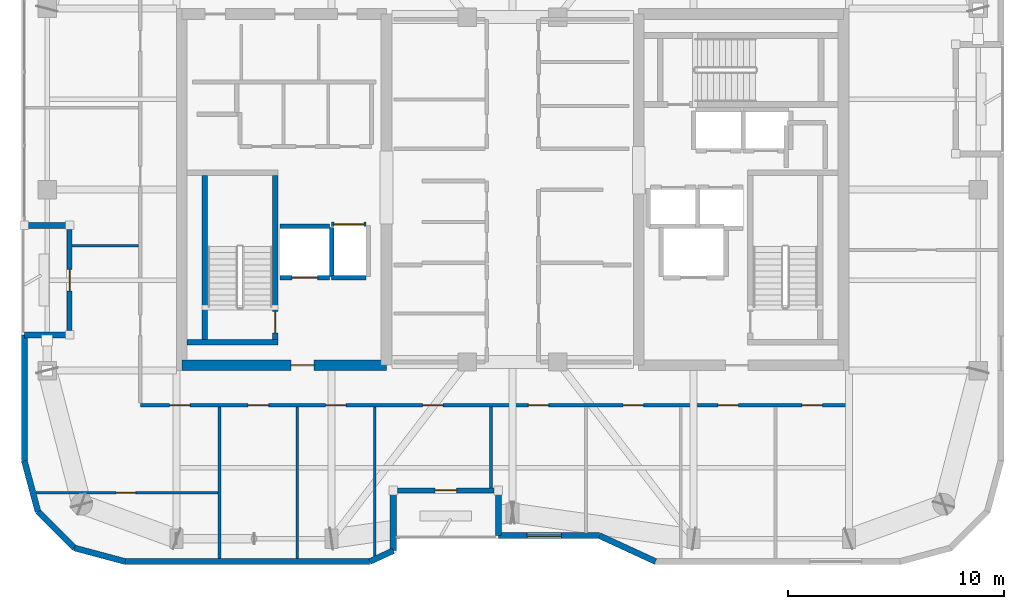
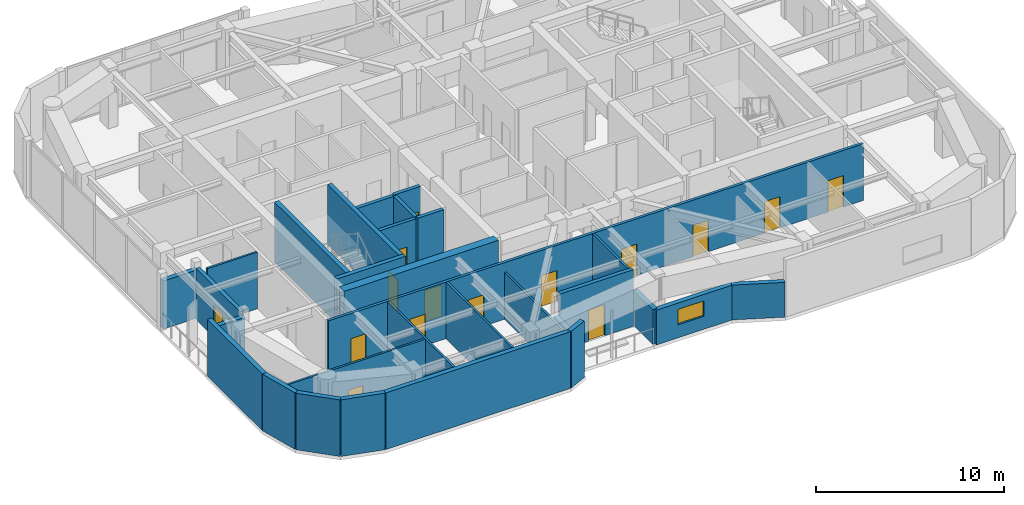
# One storey, part 10 of 16: 30 walls, 15 doors, 1 window, 16 openings.
"""IFC4 building model written with IfcOpenShell, lengths in metres."""

from ifc_helpers import new_model, si_unit, direction, frame, frame_2d, origin, place, context, subcontext, project, spatial, rectangle, extrude, material, layer, layer_set, type_object, element, fill, save


model = new_model("IFC4")

# Units and contexts
model_context = context("Model", 3, precision=1e-05, world=origin(), true_north=direction((0.0, 1.0)))
body_context = subcontext(model_context, "Body", "Model", "MODEL_VIEW")
ifc_project = project(units=[si_unit("LENGTHUNIT", "METRE"), si_unit("AREAUNIT", "SQUARE_METRE"), si_unit("VOLUMEUNIT", "CUBIC_METRE"), si_unit("PLANEANGLEUNIT", "RADIAN"), si_unit("MASSUNIT", "GRAM", prefix="KILO")], contexts=[model_context])

# Site, building, storey
site_placement = place(None, origin())
site = spatial("IfcSite", under=ifc_project, at=site_placement, CompositionType="ELEMENT")
building_placement = place(site_placement, origin())
building = spatial("IfcBuilding", under=site, at=building_placement, Name="Kiyonajd Concourse Tower", CompositionType="ELEMENT")
storey_placement = place(building_placement, frame((0.0, 0.0, 306.300048828125)))
storey = spatial("IfcBuildingStorey", under=building, at=storey_placement, Name="L77", CompositionType="ELEMENT", Elevation=306.300048828125)

# Wall, opening, door
ifc_material_1 = material(Name="Concrete C60/75", Category="concrete")
ifc_layer_1 = layer(ifc_material_1, 0.5)
ifc_layer_set_1 = layer_set([ifc_layer_1], Name="Concrete C60/75")
wall_type_1 = type_object("IfcWallType", Name="WL-CORE-500", PredefinedType="SHEAR", material=ifc_layer_set_1)
wall_1_placement = place(storey_placement, frame((32.64990234375, 27.85009765625, 0.0), z_axis=(0.0, 0.0, 1.0), x_axis=(1.0, 0.0, 0.0)))
wall_1 = element("IfcWall", 1, at=wall_1_placement, inside=storey, type_object=wall_type_1, Name="L77 West Core South Shear Wall", PredefinedType="SHEAR", context=body_context, shape_type="SweptSolid", body=[
    extrude(rectangle(XDim=9.5, YDim=0.5, at=frame_2d((4.75, 0.0))), origin(), (0.0, 0.0, 1.0), 3.89990234375),
])
opening_1_placement = place(wall_1_placement, frame((5.074951171875, 0.0, 0.0)))
opening_1 = element("IfcOpeningElement", 2, at=opening_1_placement, cuts=wall_1, Name="Opening DF5", PredefinedType="OPENING", context=body_context, shape_type="SweptSolid", body=[
    extrude(rectangle(XDim=1.050048828125, YDim=2.0400390625, at=frame_2d((0.52490234375, 1.02001953125))), frame((0.0, 0.260009765625, 0.0), z_axis=(0.0, -1.0, 0.0), x_axis=(1.0, 0.0, 0.0)), (0.0, 0.0, 1.0), 0.52001953125),
])
ifc_material_2 = material(Name="Brushed Stainless Steel Cab Assembly", Category="steel")
door_type_1 = type_object("IfcDoorType", Name="DR-FD45-1050", OperationType="NOTDEFINED", PredefinedType="DOOR", material=ifc_material_2)
door_1_placement = place(opening_1_placement, origin())
door_1 = element("IfcDoor", 3, at=door_1_placement, inside=storey, type_object=door_type_1, Name="L77 Firefighting Lift Lobby W Smoke Door", OperationType="SINGLE_SWING_LEFT", OverallHeight=2.0400390625, OverallWidth=1.050048828125, PredefinedType="DOOR", context=body_context, shape_type="SweptSolid", body=[
    extrude(rectangle(XDim=1.050048828125, YDim=2.0400390625, at=frame_2d((0.52490234375, 1.02001953125))), frame((0.0, 0.02490234375, 0.0), z_axis=(0.0, -1.0, 0.0), x_axis=(1.0, 0.0, 0.0)), (0.0, 0.0, 1.0), 0.050048828125),
])
fill(opening_1, door_1)

# Walls
ifc_material_3 = material(Name="Precast concrete C50/60", Category="concrete")
ifc_layer_2 = layer(ifc_material_3, 0.280029296875)
ifc_layer_set_2 = layer_set([ifc_layer_2], Name="Precast concrete C50/60")
wall_type_2 = type_object("IfcWallType", Name="WL-EXT-280", PredefinedType="SOLIDWALL", material=ifc_layer_set_2)
wall_2_placement = place(storey_placement, frame((25.968505859375, 21.072509765625, 0.0), z_axis=(0.0, 0.0, 1.0), x_axis=(-0.258751159445, 0.965944013639, 0.0)))
element("IfcWall", 4, at=wall_2_placement, inside=storey, type_object=wall_type_2, Name="L77 Exterior Concrete Frame Wall 00", PredefinedType="SOLIDWALL", context=body_context, shape_type="SweptSolid", body=[
    extrude(rectangle(XDim=2.4287109375, YDim=0.280029296875, at=frame_2d((1.21435546875, 0.0))), origin(), (0.0, 0.0, 1.0), 3.679931640625),
])
wall_3_placement = place(storey_placement, frame((25.340087890625, 23.41845703125, 0.0), z_axis=(0.0, 0.0, 1.0), x_axis=(0.0, 1.0, 0.0)))
element("IfcWall", 5, at=wall_3_placement, inside=storey, type_object=wall_type_2, Name="L77 Exterior Concrete Frame Wall 01", PredefinedType="SOLIDWALL", context=body_context, shape_type="SweptSolid", body=[
    extrude(rectangle(XDim=5.841552734375, YDim=0.280029296875, at=frame_2d((2.9208984375, 0.0))), origin(), (0.0, 0.0, 1.0), 3.679931640625),
])
for number, where, z_axis, x_axis, name in (
    (6, (25.340087890625, 29.260009765625, 0.0), (0.0, 0.0, 1.0), (1.0, 0.0, 0.0), "L77 Exterior Concrete Frame Wall 02"),
    (7, (27.43994140625, 34.340087890625, 0.0), (0.0, 0.0, 1.0), (-1.0, 0.0, 0.0), "L77 Exterior Concrete Frame Wall 04"),
):
    element("IfcWall", number, at=place(storey_placement, frame(where, z_axis=z_axis, x_axis=x_axis)), inside=storey, type_object=wall_type_2, Name=name, PredefinedType="SOLIDWALL", context=body_context, shape_type="SweptSolid", body=[
        extrude(rectangle(XDim=2.099853515625, YDim=0.280029296875, at=frame_2d((1.0498046875, 0.0))), origin(), (0.0, 0.0, 1.0), 3.1259765625),
    ])
wall_4_placement = place(storey_placement, frame((54.630615234375, 18.739990234375, 0.0), z_axis=(0.0, 0.0, 1.0), x_axis=(-0.907956889006, 0.419063584324, 0.0)))
element("IfcWall", 8, at=wall_4_placement, inside=storey, type_object=wall_type_2, Name="L77 Exterior Concrete Frame Wall 29", PredefinedType="SOLIDWALL", context=body_context, shape_type="SweptSolid", body=[
    extrude(rectangle(XDim=2.863525390625, YDim=0.280029296875, at=frame_2d((1.431640625, 0.0))), origin(), (0.0, 0.0, 1.0), 2.264892578125),
])

# Wall, opening, window
wall_5_placement = place(storey_placement, frame((52.03076171875, 19.93994140625, 0.0), z_axis=(0.0, 0.0, 1.0), x_axis=(-1.0, 0.0, 0.0)))
wall_5 = element("IfcWall", 9, at=wall_5_placement, inside=storey, type_object=wall_type_2, Name="L77 Exterior Concrete Frame Wall 30", PredefinedType="SOLIDWALL", context=body_context, shape_type="SweptSolid", body=[
    extrude(rectangle(XDim=4.690673828125, YDim=0.280029296875, at=frame_2d((2.34521484375, 0.0))), origin(), (0.0, 0.0, 1.0), 2.264892578125),
])
opening_2_placement = place(wall_5_placement, frame((1.76611328125, 0.0, 0.85009765625)))
opening_2 = element("IfcOpeningElement", 10, at=opening_2_placement, cuts=wall_5, Name="Opening WN6", PredefinedType="OPENING", context=body_context, shape_type="SweptSolid", body=[
    extrude(rectangle(XDim=1.60009765625, YDim=1.0, at=frame_2d((0.800048828125, 0.5))), frame((0.0, 0.14990234375, 0.0), z_axis=(0.0, -1.0, 0.0), x_axis=(1.0, 0.0, 0.0)), (0.0, 0.0, 1.0), 0.300048828125),
])
ifc_material_4 = material(Name="Double Low-E Insulated Glass", Category="glass")
window_type = type_object("IfcWindowType", Name="WN-VIS-1600x1000", PartitioningType="SINGLE_PANEL", PredefinedType="WINDOW", material=ifc_material_4)
window_placement = place(opening_2_placement, origin())
window = element("IfcWindow", 11, at=window_placement, inside=storey, type_object=window_type, Name="L77 Modular Facade Vision Window 30", OverallHeight=1.0, OverallWidth=1.60009765625, PartitioningType="SINGLE_PANEL", PredefinedType="WINDOW", context=body_context, shape_type="SweptSolid", body=[
    extrude(rectangle(XDim=1.60009765625, YDim=1.0, at=frame_2d((0.800048828125, 0.5))), frame((0.0, 0.030029296875, 0.0), z_axis=(0.0, -1.0, 0.0), x_axis=(1.0, 0.0, 0.0)), (0.0, 0.0, 1.0), 0.06005859375),
])
fill(opening_2, window)

# Walls
wall_6_placement = place(storey_placement, frame((47.340087890625, 19.93994140625, 0.0), z_axis=(0.0, 0.0, 1.0), x_axis=(0.0, 1.0, 0.0)))
element("IfcWall", 12, at=wall_6_placement, inside=storey, type_object=wall_type_2, Name="L77 Exterior Concrete Frame Wall 31", PredefinedType="SOLIDWALL", context=body_context, shape_type="SweptSolid", body=[
    extrude(rectangle(XDim=2.10009765625, YDim=0.280029296875, at=frame_2d((1.050048828125, 0.0))), origin(), (0.0, 0.0, 1.0), 2.264892578125),
])
wall_7_placement = place(storey_placement, frame((42.4599609375, 22.0400390625, 0.0), z_axis=(0.0, 0.0, 1.0), x_axis=(0.0, -1.0, 0.0)))
element("IfcWall", 13, at=wall_7_placement, inside=storey, type_object=wall_type_2, Name="L77 Exterior Concrete Frame Wall 33", PredefinedType="SOLIDWALL", context=body_context, shape_type="SweptSolid", body=[
    extrude(rectangle(XDim=2.79638671875, YDim=0.280029296875, at=frame_2d((1.398193359375, 0.0))), origin(), (0.0, 0.0, 1.0), 2.264892578125),
])
wall_8_placement = place(storey_placement, frame((42.4599609375, 19.24365234375, 0.0), z_axis=(0.0, 0.0, 1.0), x_axis=(-0.907893953211, -0.419199916176, 0.0)))
element("IfcWall", 14, at=wall_8_placement, inside=storey, type_object=wall_type_2, Name="L77 Exterior Concrete Frame Wall 34", PredefinedType="SOLIDWALL", context=body_context, shape_type="SweptSolid", body=[
    extrude(rectangle(XDim=1.201416015625, YDim=0.280029296875, at=frame_2d((0.6005859375, 0.0))), origin(), (0.0, 0.0, 1.0), 3.679931640625),
])
wall_9_placement = place(storey_placement, frame((41.369140625, 18.739990234375, 0.0), z_axis=(0.0, 0.0, 1.0), x_axis=(-1.0, 0.0, 0.0)))
element("IfcWall", 15, at=wall_9_placement, inside=storey, type_object=wall_type_2, Name="L77 Exterior Concrete Frame Wall 35", PredefinedType="SOLIDWALL", context=body_context, shape_type="SweptSolid", body=[
    extrude(rectangle(XDim=11.350830078125, YDim=0.280029296875, at=frame_2d((5.67529296875, 0.0))), origin(), (0.0, 0.0, 1.0), 3.679931640625),
])
wall_10_placement = place(storey_placement, frame((30.018310546875, 18.739990234375, 0.0), z_axis=(0.0, 0.0, 1.0), x_axis=(-0.965937282298, 0.25877628691, 0.0)))
element("IfcWall", 16, at=wall_10_placement, inside=storey, type_object=wall_type_2, Name="L77 Exterior Concrete Frame Wall 36", PredefinedType="SOLIDWALL", context=body_context, shape_type="SweptSolid", body=[
    extrude(rectangle(XDim=2.428466796875, YDim=0.280029296875, at=frame_2d((1.21435546875, 0.0))), origin(), (0.0, 0.0, 1.0), 3.679931640625),
])
wall_11_placement = place(storey_placement, frame((27.672607421875, 19.368408203125, 0.0), z_axis=(0.0, 0.0, 1.0), x_axis=(-0.707106781187, 0.707106781187, 0.0)))
element("IfcWall", 17, at=wall_11_placement, inside=storey, type_object=wall_type_2, Name="L77 Exterior Concrete Frame Wall 37", PredefinedType="SOLIDWALL", context=body_context, shape_type="SweptSolid", body=[
    extrude(rectangle(XDim=2.409912109375, YDim=0.280029296875, at=frame_2d((1.205078125, 0.0))), origin(), (0.0, 0.0, 1.0), 3.679931640625),
])

# Wall, opening, door
ifc_layer_3 = layer(ifc_material_3, 0.239990234375)
ifc_layer_set_3 = layer_set([ifc_layer_3], Name="Precast concrete C50/60")
wall_type_3 = type_object("IfcWallType", Name="WL-LOG-240", PredefinedType="SOLIDWALL", material=ifc_layer_set_3)
wall_12_placement = place(storey_placement, frame((27.43994140625, 29.455078125, 0.0), z_axis=(0.0, 0.0, 1.0), x_axis=(0.0, 1.0, 0.0)))
wall_12 = element("IfcWall", 18, at=wall_12_placement, inside=storey, type_object=wall_type_3, Name="L77 Recessed Loggia Thermal Wall LOG-W", PredefinedType="SOLIDWALL", context=body_context, shape_type="SweptSolid", body=[
    extrude(rectangle(XDim=4.68994140625, YDim=0.239990234375, at=frame_2d((2.344970703125, 0.0))), origin(), (0.0, 0.0, 1.0), 3.31103515625),
])
opening_3_placement = place(wall_12_placement, frame((1.844970703125, 0.0, 0.0)))
opening_3 = element("IfcOpeningElement", 19, at=opening_3_placement, cuts=wall_12, Name="Opening DL1", PredefinedType="OPENING", context=body_context, shape_type="SweptSolid", body=[
    extrude(rectangle(XDim=1.0, YDim=2.02001953125, at=frame_2d((0.5, 1.010009765625))), frame((0.0, 0.1298828125, 0.0), z_axis=(0.0, -1.0, 0.0), x_axis=(1.0, 0.0, 0.0)), (0.0, 0.0, 1.0), 0.260009765625),
])
ifc_material_5 = material(Name="Thermally Broken Anodised Aluminium", Category="aluminium")
door_type_2 = type_object("IfcDoorType", Name="DR-LOG-1000", OperationType="NOTDEFINED", PredefinedType="DOOR", material=ifc_material_5)
door_2_placement = place(opening_3_placement, origin())
door_2 = element("IfcDoor", 20, at=door_2_placement, inside=storey, type_object=door_type_2, Name="L77 Engawa Loggia Access Door LOG-W", OperationType="SINGLE_SWING_LEFT", OverallHeight=2.02001953125, OverallWidth=1.0, PredefinedType="DOOR", context=body_context, shape_type="SweptSolid", body=[
    extrude(rectangle(XDim=1.0, YDim=2.02001953125, at=frame_2d((0.5, 1.010009765625))), frame((0.0, 0.02490234375, 0.0), z_axis=(0.0, -1.0, 0.0), x_axis=(1.0, 0.0, 0.0)), (0.0, 0.0, 1.0), 0.050048828125),
])
fill(opening_3, door_2)

wall_13_placement = place(storey_placement, frame((47.14501953125, 22.0400390625, 0.0), z_axis=(0.0, 0.0, 1.0), x_axis=(-1.0, 0.0, 0.0)))
wall_13 = element("IfcWall", 21, at=wall_13_placement, inside=storey, type_object=wall_type_3, Name="L77 Recessed Loggia Thermal Wall LOG-S", PredefinedType="SOLIDWALL", context=body_context, shape_type="SweptSolid", body=[
    extrude(rectangle(XDim=4.489990234375, YDim=0.239990234375, at=frame_2d((2.2451171875, 0.0))), origin(), (0.0, 0.0, 1.0), 3.679931640625),
])
opening_4_placement = place(wall_13_placement, frame((1.7451171875, 0.0, 0.0)))
opening_4 = element("IfcOpeningElement", 22, at=opening_4_placement, cuts=wall_13, Name="Opening DL1", PredefinedType="OPENING", context=body_context, shape_type="SweptSolid", body=[
    extrude(rectangle(XDim=1.0, YDim=2.02001953125, at=frame_2d((0.5, 1.010009765625))), frame((0.0, 0.1298828125, 0.0), z_axis=(0.0, -1.0, 0.0), x_axis=(1.0, 0.0, 0.0)), (0.0, 0.0, 1.0), 0.260009765625),
])
door_3_placement = place(opening_4_placement, origin())
door_3 = element("IfcDoor", 23, at=door_3_placement, inside=storey, type_object=door_type_2, Name="L77 Engawa Loggia Access Door LOG-S", OperationType="SINGLE_SWING_RIGHT", OverallHeight=2.02001953125, OverallWidth=1.0, PredefinedType="DOOR", context=body_context, shape_type="SweptSolid", body=[
    extrude(rectangle(XDim=1.0, YDim=2.02001953125, at=frame_2d((0.5, 1.010009765625))), frame((0.0, 0.02490234375, 0.0), z_axis=(0.0, -1.0, 0.0), x_axis=(1.0, 0.0, 0.0)), (0.0, 0.0, 1.0), 0.050048828125),
])
fill(opening_4, door_3)

ifc_material_6 = material(Name="Gypsum Board on Cold-Formed Steel Stud", Category="steel")
ifc_layer_4 = layer(ifc_material_6, 0.125)
ifc_layer_set_4 = layer_set([ifc_layer_4], Name="Gypsum Board on Cold-Formed Steel Stud")
wall_type_4 = type_object("IfcWallType", Name="WL-PART-125", PredefinedType="PARTITIONING", material=ifc_layer_set_4)
wall_14_placement = place(storey_placement, frame((25.885009765625, 21.929931640625, 0.0), z_axis=(0.0, 0.0, 1.0), x_axis=(1.0, 0.0, 0.0)))
wall_14 = element("IfcWall", 24, at=wall_14_placement, inside=storey, type_object=wall_type_4, Name="L77 Interior Partition Wall", PredefinedType="PARTITIONING", context=body_context, shape_type="SweptSolid", body=[
    extrude(rectangle(XDim=8.514892578125, YDim=0.125, at=frame_2d((4.25732421875, 0.0))), origin(), (0.0, 0.0, 1.0), 3.679931640625),
])
opening_5_placement = place(wall_14_placement, frame((3.715087890625, 0.0, 0.0)))
opening_5 = element("IfcOpeningElement", 25, at=opening_5_placement, cuts=wall_14, Name="Opening DI2", PredefinedType="OPENING", context=body_context, shape_type="SweptSolid", body=[
    extrude(rectangle(XDim=0.89990234375, YDim=2.02001953125, at=frame_2d((0.449951171875, 1.010009765625))), frame((0.0, 0.072509765625, 0.0), z_axis=(0.0, -1.0, 0.0), x_axis=(1.0, 0.0, 0.0)), (0.0, 0.0, 1.0), 0.14501953125),
])
ifc_material_7 = material(Name="Natural Oak Acoustic Timber Veneer", Category="wood")
door_type_3 = type_object("IfcDoorType", Name="DR-INT-900", OperationType="NOTDEFINED", PredefinedType="DOOR", material=ifc_material_7)
door_4_placement = place(opening_5_placement, origin())
door_4 = element("IfcDoor", 26, at=door_4_placement, inside=storey, type_object=door_type_3, Name="L77 Interior Door", OperationType="SINGLE_SWING_LEFT", OverallHeight=2.02001953125, OverallWidth=0.89990234375, PredefinedType="DOOR", context=body_context, shape_type="SweptSolid", body=[
    extrude(rectangle(XDim=0.89990234375, YDim=2.02001953125, at=frame_2d((0.449951171875, 1.010009765625))), frame((0.0, 0.02490234375, 0.0), z_axis=(0.0, -1.0, 0.0), x_axis=(1.0, 0.0, 0.0)), (0.0, 0.0, 1.0), 0.050048828125),
])
fill(opening_5, door_4)

# Walls
for number, where, z_axis, x_axis, name in (
    (27, (34.39990234375, 18.875, 0.0), (0.0, 0.0, 1.0), (0.0, 1.0, 0.0), "L77 Interior Partition Wall"),
    (28, (38.0, 18.875, 0.0), (0.0, 0.0, 1.0), (0.0, 1.0, 0.0), "L77 Interior Partition Wall"),
):
    element("IfcWall", number, at=place(storey_placement, frame(where, z_axis=z_axis, x_axis=x_axis)), inside=storey, type_object=wall_type_4, Name=name, PredefinedType="PARTITIONING", context=body_context, shape_type="SweptSolid", body=[
        extrude(rectangle(XDim=7.0380859375, YDim=0.125, at=frame_2d((3.51904296875, 0.0))), origin(), (0.0, 0.0, 1.0), 3.679931640625),
    ])
wall_15_placement = place(storey_placement, frame((41.60009765625, 18.998046875, 0.0), z_axis=(0.0, 0.0, 1.0), x_axis=(0.0, 1.0, 0.0)))
element("IfcWall", 29, at=wall_15_placement, inside=storey, type_object=wall_type_4, Name="L77 Interior Partition Wall", PredefinedType="PARTITIONING", context=body_context, shape_type="SweptSolid", body=[
    extrude(rectangle(XDim=6.9150390625, YDim=0.125, at=frame_2d((3.45751953125, 0.0))), origin(), (0.0, 0.0, 1.0), 3.04296875),
])
wall_16_placement = place(storey_placement, frame((47.0, 22.155029296875, 0.0), z_axis=(0.0, 0.0, 1.0), x_axis=(0.0, 1.0, 0.0)))
element("IfcWall", 30, at=wall_16_placement, inside=storey, type_object=wall_type_4, Name="L77 Interior Partition Wall", PredefinedType="PARTITIONING", context=body_context, shape_type="SweptSolid", body=[
    extrude(rectangle(XDim=3.758056640625, YDim=0.125, at=frame_2d((1.87890625, 0.0))), origin(), (0.0, 0.0, 1.0), 3.679931640625),
])
wall_17_placement = place(storey_placement, frame((27.554931640625, 33.39990234375, 0.0), z_axis=(0.0, 0.0, 1.0), x_axis=(1.0, 0.0, 0.0)))
element("IfcWall", 31, at=wall_17_placement, inside=storey, type_object=wall_type_4, Name="L77 Interior Partition Wall", PredefinedType="PARTITIONING", context=body_context, shape_type="SweptSolid", body=[
    extrude(rectangle(XDim=3.0830078125, YDim=0.125, at=frame_2d((1.54150390625, 0.0))), origin(), (0.0, 0.0, 1.0), 3.679931640625),
])

# Wall, opening, door
ifc_layer_5 = layer(ifc_material_6, 0.2099609375)
ifc_layer_set_5 = layer_set([ifc_layer_5], Name="Gypsum Board on Cold-Formed Steel Stud")
wall_type_5 = type_object("IfcWallType", Name="WL-SHAFT-210", PredefinedType="PARTITIONING", material=ifc_layer_set_5)
wall_18_placement = place(storey_placement, frame((37.199951171875, 31.89990234375, 0.0), z_axis=(0.0, 0.0, 1.0), x_axis=(1.0, 0.0, 0.0)))
wall_18 = element("IfcWall", 32, at=wall_18_placement, inside=storey, type_object=wall_type_5, Name="L77 Shaft Enclosure Wall", PredefinedType="PARTITIONING", context=body_context, shape_type="SweptSolid", body=[
    extrude(rectangle(XDim=2.300048828125, YDim=0.2099609375, at=frame_2d((1.14990234375, 0.0))), origin(), (0.0, 0.0, 1.0), 3.679931640625),
])
opening_6_placement = place(wall_18_placement, frame((0.550048828125, 0.0, 0.0)))
opening_6 = element("IfcOpeningElement", 33, at=opening_6_placement, cuts=wall_18, Name="Opening LD2", PredefinedType="OPENING", context=body_context, shape_type="SweptSolid", body=[
    extrude(rectangle(XDim=1.199951171875, YDim=2.0400390625, at=frame_2d((0.60009765625, 1.02001953125))), frame((0.0, 0.114990234375, 0.0), z_axis=(0.0, -1.0, 0.0), x_axis=(1.0, 0.0, 0.0)), (0.0, 0.0, 1.0), 0.22998046875),
])
door_type_4 = type_object("IfcDoorType", Name="DR-LD-1200", OperationType="DOUBLE_DOOR_SLIDING", PredefinedType="DOOR", material=ifc_material_2)
door_5_placement = place(opening_6_placement, origin())
door_5 = element("IfcDoor", 34, at=door_5_placement, inside=storey, type_object=door_type_4, Name="L77 Lift FFL1 Sliding Landing Door", OperationType="DOUBLE_DOOR_SLIDING", OverallHeight=2.0400390625, OverallWidth=1.199951171875, PredefinedType="DOOR", context=body_context, shape_type="SweptSolid", body=[
    extrude(rectangle(XDim=1.199951171875, YDim=2.0400390625, at=frame_2d((0.60009765625, 1.02001953125))), frame((0.0, 0.02490234375, 0.0), z_axis=(0.0, -1.0, 0.0), x_axis=(1.0, 0.0, 0.0)), (0.0, 0.0, 1.0), 0.050048828125),
])
fill(opening_6, door_5)

# Walls
wall_19_placement = place(storey_placement, frame((37.199951171875, 34.300048828125, 0.0), z_axis=(0.0, 0.0, 1.0), x_axis=(1.0, 0.0, 0.0)))
element("IfcWall", 35, at=wall_19_placement, inside=storey, type_object=wall_type_5, Name="L77 Shaft Enclosure Wall", PredefinedType="PARTITIONING", context=body_context, shape_type="SweptSolid", body=[
    extrude(rectangle(XDim=2.300048828125, YDim=0.2099609375, at=frame_2d((1.14990234375, 0.0))), origin(), (0.0, 0.0, 1.0), 3.679931640625),
])
wall_20_placement = place(storey_placement, frame((39.60009765625, 31.9599609375, 0.0), z_axis=(0.0, 0.0, 1.0), x_axis=(0.0, 1.0, 0.0)))
element("IfcWall", 36, at=wall_20_placement, inside=storey, type_object=wall_type_5, Name="L77 Shaft Enclosure Wall", PredefinedType="PARTITIONING", context=body_context, shape_type="SweptSolid", body=[
    extrude(rectangle(XDim=2.280029296875, YDim=0.2099609375, at=frame_2d((1.14013671875, 0.0))), origin(), (0.0, 0.0, 1.0), 3.679931640625),
])

# Wall, opening, door
wall_21_placement = place(storey_placement, frame((39.60009765625, 34.39990234375, 0.0), z_axis=(0.0, 0.0, 1.0), x_axis=(1.0, 0.0, 0.0)))
wall_21 = element("IfcWall", 37, at=wall_21_placement, inside=storey, type_object=wall_type_5, Name="L77 Shaft Enclosure Wall", PredefinedType="PARTITIONING", context=body_context, shape_type="SweptSolid", body=[
    extrude(rectangle(XDim=1.599853515625, YDim=0.2099609375, at=frame_2d((0.7998046875, 0.0))), origin(), (0.0, 0.0, 1.0), 3.679931640625),
])
opening_7_placement = place(wall_21_placement, frame((0.10009765625, 0.0, 0.0)))
opening_7 = element("IfcOpeningElement", 38, at=opening_7_placement, cuts=wall_21, Name="Opening LD3", PredefinedType="OPENING", context=body_context, shape_type="SweptSolid", body=[
    extrude(rectangle(XDim=1.39990234375, YDim=2.06005859375, at=frame_2d((0.699951171875, 1.030029296875))), frame((0.0, 0.114990234375, 0.0), z_axis=(0.0, -1.0, 0.0), x_axis=(1.0, 0.0, 0.0)), (0.0, 0.0, 1.0), 0.22998046875),
])
door_type_5 = type_object("IfcDoorType", Name="DR-LD-1400", OperationType="DOUBLE_DOOR_SLIDING", PredefinedType="DOOR", material=ifc_material_2)
door_6_placement = place(opening_7_placement, origin())
door_6 = element("IfcDoor", 39, at=door_6_placement, inside=storey, type_object=door_type_5, Name="L77 Lift SVL1 Sliding Landing Door", OperationType="DOUBLE_DOOR_SLIDING", OverallHeight=2.06005859375, OverallWidth=1.39990234375, PredefinedType="DOOR", context=body_context, shape_type="SweptSolid", body=[
    extrude(rectangle(XDim=1.39990234375, YDim=2.06005859375, at=frame_2d((0.699951171875, 1.030029296875))), frame((0.0, 0.02490234375, 0.0), z_axis=(0.0, -1.0, 0.0), x_axis=(1.0, 0.0, 0.0)), (0.0, 0.0, 1.0), 0.050048828125),
])
fill(opening_7, door_6)

# Wall
wall_22_placement = place(storey_placement, frame((39.60009765625, 31.89990234375, 0.0), z_axis=(0.0, 0.0, 1.0), x_axis=(1.0, 0.0, 0.0)))
element("IfcWall", 40, at=wall_22_placement, inside=storey, type_object=wall_type_5, Name="L77 Shaft Enclosure Wall", PredefinedType="PARTITIONING", context=body_context, shape_type="SweptSolid", body=[
    extrude(rectangle(XDim=1.599853515625, YDim=0.2099609375, at=frame_2d((0.7998046875, 0.0))), origin(), (0.0, 0.0, 1.0), 3.679931640625),
])

# Wall, openings, doors
ifc_layer_6 = layer(ifc_material_6, 0.169921875)
ifc_layer_set_6 = layer_set([ifc_layer_6], Name="Gypsum Board on Cold-Formed Steel Stud")
wall_type_6 = type_object("IfcWallType", Name="WL-SMK-170", PredefinedType="PARTITIONING", material=ifc_layer_set_6)
wall_23_placement = place(storey_placement, frame((30.72509765625, 26.0, 0.0), z_axis=(0.0, 0.0, 1.0), x_axis=(1.0, 0.0, 0.0)))
wall_23 = element("IfcWall", 41, at=wall_23_placement, inside=storey, type_object=wall_type_6, Name="L77 Interior Partition Wall", PredefinedType="PARTITIONING", context=body_context, shape_type="SweptSolid", body=[
    extrude(rectangle(XDim=32.875, YDim=0.169921875, at=frame_2d((16.4375, 0.0))), origin(), (0.0, 0.0, 1.0), 3.679931640625),
])
opening_8_placement = place(wall_23_placement, frame((1.362060546875, 0.0, 0.0)))
opening_8 = element("IfcOpeningElement", 42, at=opening_8_placement, cuts=wall_23, Name="Opening DI1", PredefinedType="OPENING", context=body_context, shape_type="SweptSolid", body=[
    extrude(rectangle(XDim=0.949951171875, YDim=2.0400390625, at=frame_2d((0.47509765625, 1.02001953125))), frame((0.0, 0.094970703125, 0.0), z_axis=(0.0, -1.0, 0.0), x_axis=(1.0, 0.0, 0.0)), (0.0, 0.0, 1.0), 0.18994140625),
])
opening_9_placement = place(wall_23_placement, frame((5.0, 0.0, 0.0)))
opening_9 = element("IfcOpeningElement", 43, at=opening_9_placement, cuts=wall_23, Name="Opening DI1", PredefinedType="OPENING", context=body_context, shape_type="SweptSolid", body=[
    extrude(rectangle(XDim=0.949951171875, YDim=2.0400390625, at=frame_2d((0.47509765625, 1.02001953125))), frame((0.0, 0.094970703125, 0.0), z_axis=(0.0, -1.0, 0.0), x_axis=(1.0, 0.0, 0.0)), (0.0, 0.0, 1.0), 0.18994140625),
])
opening_10_placement = place(wall_23_placement, frame((8.60009765625, 0.0, 0.0)))
opening_10 = element("IfcOpeningElement", 44, at=opening_10_placement, cuts=wall_23, Name="Opening DI1", PredefinedType="OPENING", context=body_context, shape_type="SweptSolid", body=[
    extrude(rectangle(XDim=0.949951171875, YDim=2.0400390625, at=frame_2d((0.47509765625, 1.02001953125))), frame((0.0, 0.094970703125, 0.0), z_axis=(0.0, -1.0, 0.0), x_axis=(1.0, 0.0, 0.0)), (0.0, 0.0, 1.0), 0.18994140625),
])
opening_11_placement = place(wall_23_placement, frame((13.10009765625, 0.0, 0.0)))
opening_11 = element("IfcOpeningElement", 45, at=opening_11_placement, cuts=wall_23, Name="Opening DI1", PredefinedType="OPENING", context=body_context, shape_type="SweptSolid", body=[
    extrude(rectangle(XDim=0.949951171875, YDim=2.0400390625, at=frame_2d((0.47509765625, 1.02001953125))), frame((0.0, 0.094970703125, 0.0), z_axis=(0.0, -1.0, 0.0), x_axis=(1.0, 0.0, 0.0)), (0.0, 0.0, 1.0), 0.18994140625),
])
opening_12_placement = place(wall_23_placement, frame((18.0, 0.0, 0.0)))
opening_12 = element("IfcOpeningElement", 46, at=opening_12_placement, cuts=wall_23, Name="Opening DI1", PredefinedType="OPENING", context=body_context, shape_type="SweptSolid", body=[
    extrude(rectangle(XDim=0.949951171875, YDim=2.0400390625, at=frame_2d((0.47509765625, 1.02001953125))), frame((0.0, 0.094970703125, 0.0), z_axis=(0.0, -1.0, 0.0), x_axis=(1.0, 0.0, 0.0)), (0.0, 0.0, 1.0), 0.18994140625),
])
opening_13_placement = place(wall_23_placement, frame((22.39990234375, 0.0, 0.0)))
opening_13 = element("IfcOpeningElement", 47, at=opening_13_placement, cuts=wall_23, Name="Opening DI1", PredefinedType="OPENING", context=body_context, shape_type="SweptSolid", body=[
    extrude(rectangle(XDim=0.949951171875, YDim=2.0400390625, at=frame_2d((0.47509765625, 1.02001953125))), frame((0.0, 0.094970703125, 0.0), z_axis=(0.0, -1.0, 0.0), x_axis=(1.0, 0.0, 0.0)), (0.0, 0.0, 1.0), 0.18994140625),
])
opening_14_placement = place(wall_23_placement, frame((26.800048828125, 0.0, 0.0)))
opening_14 = element("IfcOpeningElement", 48, at=opening_14_placement, cuts=wall_23, Name="Opening DI1", PredefinedType="OPENING", context=body_context, shape_type="SweptSolid", body=[
    extrude(rectangle(XDim=0.949951171875, YDim=2.0400390625, at=frame_2d((0.47509765625, 1.02001953125))), frame((0.0, 0.094970703125, 0.0), z_axis=(0.0, -1.0, 0.0), x_axis=(1.0, 0.0, 0.0)), (0.0, 0.0, 1.0), 0.18994140625),
])
opening_15_placement = place(wall_23_placement, frame((30.699951171875, 0.0, 0.0)))
opening_15 = element("IfcOpeningElement", 49, at=opening_15_placement, cuts=wall_23, Name="Opening DI1", PredefinedType="OPENING", context=body_context, shape_type="SweptSolid", body=[
    extrude(rectangle(XDim=0.949951171875, YDim=2.0400390625, at=frame_2d((0.47509765625, 1.02001953125))), frame((0.0, 0.094970703125, 0.0), z_axis=(0.0, -1.0, 0.0), x_axis=(1.0, 0.0, 0.0)), (0.0, 0.0, 1.0), 0.18994140625),
])
door_type_6 = type_object("IfcDoorType", Name="DR-INT-950", OperationType="NOTDEFINED", PredefinedType="DOOR", material=ifc_material_7)
door_7_placement = place(opening_8_placement, origin())
door_7 = element("IfcDoor", 50, at=door_7_placement, inside=storey, type_object=door_type_6, Name="L77 Interior Door", OperationType="SINGLE_SWING_RIGHT", OverallHeight=2.0400390625, OverallWidth=0.949951171875, PredefinedType="DOOR", context=body_context, shape_type="SweptSolid", body=[
    extrude(rectangle(XDim=0.949951171875, YDim=2.0400390625, at=frame_2d((0.47509765625, 1.02001953125))), frame((0.0, 0.02490234375, 0.0), z_axis=(0.0, -1.0, 0.0), x_axis=(1.0, 0.0, 0.0)), (0.0, 0.0, 1.0), 0.050048828125),
])
fill(opening_8, door_7)
door_8_placement = place(opening_9_placement, origin())
door_8 = element("IfcDoor", 51, at=door_8_placement, inside=storey, type_object=door_type_6, Name="L77 Interior Door", OperationType="SINGLE_SWING_LEFT", OverallHeight=2.0400390625, OverallWidth=0.949951171875, PredefinedType="DOOR", context=body_context, shape_type="SweptSolid", body=[
    extrude(rectangle(XDim=0.949951171875, YDim=2.0400390625, at=frame_2d((0.47509765625, 1.02001953125))), frame((0.0, 0.02490234375, 0.0), z_axis=(0.0, -1.0, 0.0), x_axis=(1.0, 0.0, 0.0)), (0.0, 0.0, 1.0), 0.050048828125),
])
fill(opening_9, door_8)
door_9_placement = place(opening_10_placement, origin())
door_9 = element("IfcDoor", 52, at=door_9_placement, inside=storey, type_object=door_type_6, Name="L77 Interior Door", OperationType="SINGLE_SWING_RIGHT", OverallHeight=2.0400390625, OverallWidth=0.949951171875, PredefinedType="DOOR", context=body_context, shape_type="SweptSolid", body=[
    extrude(rectangle(XDim=0.949951171875, YDim=2.0400390625, at=frame_2d((0.47509765625, 1.02001953125))), frame((0.0, 0.02490234375, 0.0), z_axis=(0.0, -1.0, 0.0), x_axis=(1.0, 0.0, 0.0)), (0.0, 0.0, 1.0), 0.050048828125),
])
fill(opening_10, door_9)
door_10_placement = place(opening_11_placement, origin())
door_10 = element("IfcDoor", 53, at=door_10_placement, inside=storey, type_object=door_type_6, Name="L77 Interior Door", OperationType="SINGLE_SWING_LEFT", OverallHeight=2.0400390625, OverallWidth=0.949951171875, PredefinedType="DOOR", context=body_context, shape_type="SweptSolid", body=[
    extrude(rectangle(XDim=0.949951171875, YDim=2.0400390625, at=frame_2d((0.47509765625, 1.02001953125))), frame((0.0, 0.02490234375, 0.0), z_axis=(0.0, -1.0, 0.0), x_axis=(1.0, 0.0, 0.0)), (0.0, 0.0, 1.0), 0.050048828125),
])
fill(opening_11, door_10)
door_11_placement = place(opening_12_placement, origin())
door_11 = element("IfcDoor", 54, at=door_11_placement, inside=storey, type_object=door_type_6, Name="L77 Interior Door", OperationType="SINGLE_SWING_RIGHT", OverallHeight=2.0400390625, OverallWidth=0.949951171875, PredefinedType="DOOR", context=body_context, shape_type="SweptSolid", body=[
    extrude(rectangle(XDim=0.949951171875, YDim=2.0400390625, at=frame_2d((0.47509765625, 1.02001953125))), frame((0.0, 0.02490234375, 0.0), z_axis=(0.0, -1.0, 0.0), x_axis=(1.0, 0.0, 0.0)), (0.0, 0.0, 1.0), 0.050048828125),
])
fill(opening_12, door_11)
door_12_placement = place(opening_13_placement, origin())
door_12 = element("IfcDoor", 55, at=door_12_placement, inside=storey, type_object=door_type_6, Name="L77 Interior Door", OperationType="SINGLE_SWING_LEFT", OverallHeight=2.0400390625, OverallWidth=0.949951171875, PredefinedType="DOOR", context=body_context, shape_type="SweptSolid", body=[
    extrude(rectangle(XDim=0.949951171875, YDim=2.0400390625, at=frame_2d((0.47509765625, 1.02001953125))), frame((0.0, 0.02490234375, 0.0), z_axis=(0.0, -1.0, 0.0), x_axis=(1.0, 0.0, 0.0)), (0.0, 0.0, 1.0), 0.050048828125),
])
fill(opening_13, door_12)
door_13_placement = place(opening_14_placement, origin())
door_13 = element("IfcDoor", 56, at=door_13_placement, inside=storey, type_object=door_type_6, Name="L77 Interior Door", OperationType="SINGLE_SWING_RIGHT", OverallHeight=2.0400390625, OverallWidth=0.949951171875, PredefinedType="DOOR", context=body_context, shape_type="SweptSolid", body=[
    extrude(rectangle(XDim=0.949951171875, YDim=2.0400390625, at=frame_2d((0.47509765625, 1.02001953125))), frame((0.0, 0.02490234375, 0.0), z_axis=(0.0, -1.0, 0.0), x_axis=(1.0, 0.0, 0.0)), (0.0, 0.0, 1.0), 0.050048828125),
])
fill(opening_14, door_13)
door_14_placement = place(opening_15_placement, origin())
door_14 = element("IfcDoor", 57, at=door_14_placement, inside=storey, type_object=door_type_6, Name="L77 Interior Door", OperationType="SINGLE_SWING_LEFT", OverallHeight=2.0400390625, OverallWidth=0.949951171875, PredefinedType="DOOR", context=body_context, shape_type="SweptSolid", body=[
    extrude(rectangle(XDim=0.949951171875, YDim=2.0400390625, at=frame_2d((0.47509765625, 1.02001953125))), frame((0.0, 0.02490234375, 0.0), z_axis=(0.0, -1.0, 0.0), x_axis=(1.0, 0.0, 0.0)), (0.0, 0.0, 1.0), 0.050048828125),
])
fill(opening_15, door_14)

# Walls
ifc_material_8 = material(Name="Concrete C50/60", Category="concrete")
ifc_layer_7 = layer(ifc_material_8, 0.260009765625)
ifc_layer_set_7 = layer_set([ifc_layer_7], Name="Concrete C50/60")
wall_type_7 = type_object("IfcWallType", Name="WL-STAIR-260", PredefinedType="SHEAR", material=ifc_layer_set_7)
wall_24_placement = place(storey_placement, frame((32.89990234375, 28.919921875, 0.0), z_axis=(0.0, 0.0, 1.0), x_axis=(1.0, 0.0, 0.0)))
element("IfcWall", 58, at=wall_24_placement, inside=storey, type_object=wall_type_7, Name="L77 Stair ST1 Structural South Wall", PredefinedType="SHEAR", context=body_context, shape_type="SweptSolid", body=[
    extrude(rectangle(XDim=4.210205078125, YDim=0.260009765625, at=frame_2d((2.10498046875, 0.0))), origin(), (0.0, 0.0, 1.0), 3.89990234375),
])
wall_25_placement = place(storey_placement, frame((33.719970703125, 29.050048828125, 0.0), z_axis=(0.0, 0.0, 1.0), x_axis=(0.0, 1.0, 0.0)))
element("IfcWall", 59, at=wall_25_placement, inside=storey, type_object=wall_type_7, Name="L77 Stair ST1 Structural West Wall", PredefinedType="SHEAR", context=body_context, shape_type="SweptSolid", body=[
    extrude(rectangle(XDim=7.599853515625, YDim=0.260009765625, at=frame_2d((3.7998046875, 0.0))), origin(), (0.0, 0.0, 1.0), 3.89990234375),
])

# Wall, opening, door
wall_26_placement = place(storey_placement, frame((36.97998046875, 29.050048828125, 0.0), z_axis=(0.0, 0.0, 1.0), x_axis=(0.0, 1.0, 0.0)))
wall_26 = element("IfcWall", 60, at=wall_26_placement, inside=storey, type_object=wall_type_7, Name="L77 Stair ST1 Structural East Wall", PredefinedType="SHEAR", context=body_context, shape_type="SweptSolid", body=[
    extrude(rectangle(XDim=7.599853515625, YDim=0.260009765625, at=frame_2d((3.7998046875, 0.0))), origin(), (0.0, 0.0, 1.0), 3.89990234375),
])
opening_16_placement = place(wall_26_placement, frame((0.300048828125, 0.0, 0.0)))
opening_16 = element("IfcOpeningElement", 61, at=opening_16_placement, cuts=wall_26, Name="Opening DF1", PredefinedType="OPENING", context=body_context, shape_type="SweptSolid", body=[
    extrude(rectangle(XDim=1.0, YDim=2.0400390625, at=frame_2d((0.5, 1.02001953125))), frame((0.0, 0.139892578125, 0.0), z_axis=(0.0, -1.0, 0.0), x_axis=(1.0, 0.0, 0.0)), (0.0, 0.0, 1.0), 0.280029296875),
])
door_type_7 = type_object("IfcDoorType", Name="DR-FD90-1000", OperationType="NOTDEFINED", PredefinedType="DOOR", material=ifc_material_2)
door_15_placement = place(opening_16_placement, origin())
door_15 = element("IfcDoor", 62, at=door_15_placement, inside=storey, type_object=door_type_7, Name="L77 Stair ST1 FSAE Door", OperationType="SINGLE_SWING_LEFT", OverallHeight=2.0400390625, OverallWidth=1.0, PredefinedType="DOOR", context=body_context, shape_type="SweptSolid", body=[
    extrude(rectangle(XDim=1.0, YDim=2.0400390625, at=frame_2d((0.5, 1.02001953125))), frame((0.0, 0.02490234375, 0.0), z_axis=(0.0, -1.0, 0.0), x_axis=(1.0, 0.0, 0.0)), (0.0, 0.0, 1.0), 0.050048828125),
])
fill(opening_16, door_15)

save(model, "model.ifc")
